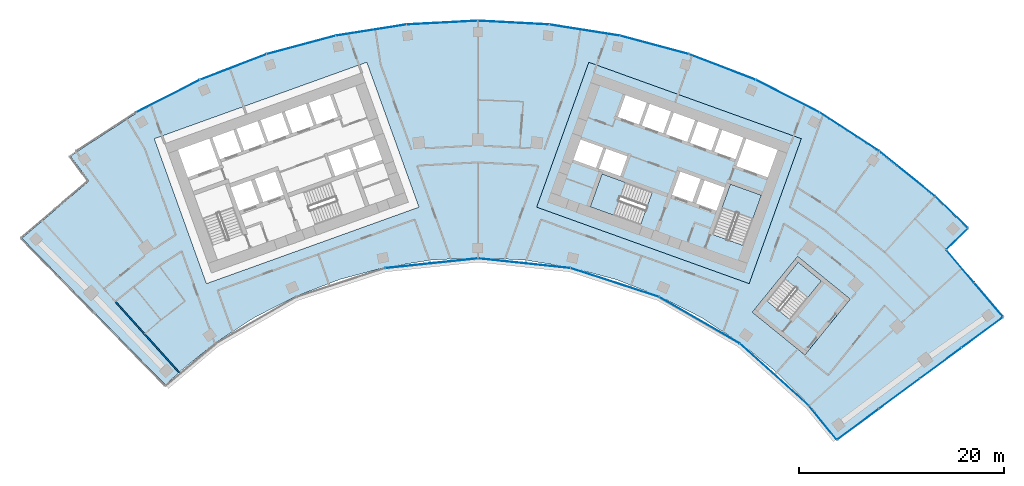
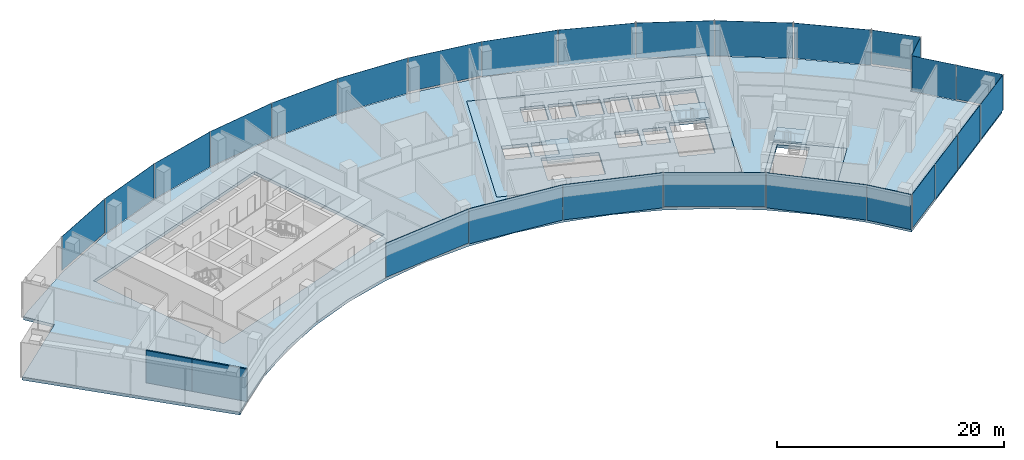
# One storey, part 11 of 18: 26 plates, 6 slabs, 2 walls, 8 elements without a shape of their own.
"""IFC4 building model written with IfcOpenShell, lengths in metres."""

from ifc_helpers import new_model, si_unit, direction, frame, frame_2d, origin, origin_2d, place, context, subcontext, project, spatial, polyline, rectangle, outline, extrude, material, layer, layer_set, type_object, element, aggregate, save


model = new_model("IFC4")

# Units and contexts
model_context = context("Model", 3, precision=1e-05, world=origin(), true_north=direction((0.0, 1.0)))
body_context = subcontext(model_context, "Body", "Model", "MODEL_VIEW")
ifc_project = project(units=[si_unit("LENGTHUNIT", "METRE"), si_unit("AREAUNIT", "SQUARE_METRE"), si_unit("VOLUMEUNIT", "CUBIC_METRE"), si_unit("PLANEANGLEUNIT", "RADIAN"), si_unit("MASSUNIT", "GRAM", prefix="KILO")], contexts=[model_context])

# Site, building, storey
site_placement = place(None, origin())
site = spatial("IfcSite", under=ifc_project, at=site_placement, CompositionType="ELEMENT")
building_placement = place(site_placement, origin())
building = spatial("IfcBuilding", under=site, at=building_placement, Name="Stone Belt Terrace Tower", CompositionType="ELEMENT")
storey_placement = place(building_placement, frame((0.0, 0.0, 220.0)))
storey = spatial("IfcBuildingStorey", under=building, at=storey_placement, Name="L53", CompositionType="ELEMENT", Elevation=220.0)

# Curtain wall, plates
ifc_material_1 = material(Name="Aluminium 6063-T6 anodised frame", Category="aluminium")
ifc_layer_1 = layer(ifc_material_1, 0.14990234375)
ifc_layer_set_1 = layer_set([ifc_layer_1], Name="CW-A unitised convex-face curtain wall")
curtain_wall_type_1 = type_object("IfcCurtainWallType", Name="CW-A unitised convex-face curtain wall", PredefinedType="NOTDEFINED", material=ifc_layer_set_1)
curtain_wall_1_placement = place(storey_placement, origin())
curtain_wall_1 = element("IfcCurtainWall", 1, at=curtain_wall_1_placement, inside=storey, type_object=curtain_wall_type_1, Name="CW-A convex face L53", PredefinedType="NOTDEFINED")
ifc_material_2 = material(Name="Clear double glazed unit")
ifc_layer_2 = layer(ifc_material_2, 0.031982421875)
ifc_layer_set_2 = layer_set([ifc_layer_2], Name="CW-A glass panel 32")
plate_type_1 = type_object("IfcPlateType", Name="CW-A glass panel 32", PredefinedType="CURTAIN_PANEL", material=ifc_layer_set_2)
plate_1_placement = place(storey_placement, frame((46.14599609375, 47.936767578125, 0.14013671875), z_axis=(0.0, 0.0, 1.0), x_axis=(-0.720604393579, 0.693346455933, 0.0)))
plate_1 = element("IfcPlate", 2, at=plate_1_placement, type_object=plate_type_1, Name="CW-A panel 1.1", PredefinedType="CURTAIN_PANEL", context=body_context, shape_type="SweptSolid", body=[
    extrude(rectangle(XDim=4.372314453125, YDim=0.031982421875, at=origin_2d()), origin(), (0.0, 0.0, 1.0), 3.659912109375),
])
plate_2_placement = place(storey_placement, frame((41.839599609375, 51.667724609375, 0.0), z_axis=(0.0, 0.0, 1.0), x_axis=(-0.777145961457, 0.62932039105, 0.0)))
plate_2 = element("IfcPlate", 3, at=plate_2_placement, type_object=plate_type_1, Name="CW-A panel 2.1", PredefinedType="CURTAIN_PANEL", context=body_context, shape_type="SweptSolid", body=[
    extrude(rectangle(XDim=6.90087890625, YDim=0.031982421875, at=origin_2d()), origin(), (0.0, 0.0, 1.0), 3.800048828125),
])
plate_3_placement = place(storey_placement, frame((36.209716796875, 55.758056640625, 0.0), z_axis=(0.0, 0.0, 1.0), x_axis=(-0.838670567945, 0.544639035015, 0.0)))
plate_3 = element("IfcPlate", 4, at=plate_3_placement, type_object=plate_type_1, Name="CW-A panel 3.1", PredefinedType="CURTAIN_PANEL", context=body_context, shape_type="SweptSolid", body=[
    extrude(rectangle(XDim=6.90087890625, YDim=0.031982421875, at=origin_2d()), origin(), (0.0, 0.0, 1.0), 3.800048828125),
])
plate_4_placement = place(storey_placement, frame((30.18310546875, 59.237548828125, 0.0), z_axis=(0.0, 0.0, 1.0), x_axis=(-0.891006524188, 0.45399049974, 0.0)))
plate_4 = element("IfcPlate", 5, at=plate_4_placement, type_object=plate_type_1, Name="CW-A panel 4.1", PredefinedType="CURTAIN_PANEL", context=body_context, shape_type="SweptSolid", body=[
    extrude(rectangle(XDim=6.90087890625, YDim=0.031982421875, at=origin_2d()), origin(), (0.0, 0.0, 1.0), 3.800048828125),
])
plate_5_placement = place(storey_placement, frame((23.82568359375, 62.068115234375, 0.0), z_axis=(0.0, 0.0, 1.0), x_axis=(-0.933580426497, 0.358367949545, 0.0)))
plate_5 = element("IfcPlate", 6, at=plate_5_placement, type_object=plate_type_1, Name="CW-A panel 5.1", PredefinedType="CURTAIN_PANEL", context=body_context, shape_type="SweptSolid", body=[
    extrude(rectangle(XDim=6.90087890625, YDim=0.031982421875, at=origin_2d()), origin(), (0.0, 0.0, 1.0), 3.800048828125),
])
plate_6_placement = place(storey_placement, frame((17.207275390625, 64.218505859375, 0.0), z_axis=(0.0, 0.0, 1.0), x_axis=(-0.965925826289, 0.258819045103, 0.0)))
plate_6 = element("IfcPlate", 7, at=plate_6_placement, type_object=plate_type_1, Name="CW-A panel 6.1", PredefinedType="CURTAIN_PANEL", context=body_context, shape_type="SweptSolid", body=[
    extrude(rectangle(XDim=6.90087890625, YDim=0.031982421875, at=origin_2d()), origin(), (0.0, 0.0, 1.0), 3.800048828125),
])
plate_7_placement = place(storey_placement, frame((10.400390625, 65.665283203125, 0.14013671875), z_axis=(0.0, 0.0, 1.0), x_axis=(-0.987688340595, 0.15643446504, 0.0)))
plate_7 = element("IfcPlate", 8, at=plate_7_placement, type_object=plate_type_1, Name="CW-A panel 7.1", PredefinedType="CURTAIN_PANEL", context=body_context, shape_type="SweptSolid", body=[
    extrude(rectangle(XDim=6.90087890625, YDim=0.031982421875, at=origin_2d()), origin(), (0.0, 0.0, 1.0), 3.659912109375),
])
plate_8_placement = place(storey_placement, frame((3.4794921875, 66.392822265625, 0.0), z_axis=(0.0, 0.0, 1.0), x_axis=(-0.998629534755, 0.052335956243, 0.0)))
plate_8 = element("IfcPlate", 9, at=plate_8_placement, type_object=plate_type_1, Name="CW-A panel 8.1", PredefinedType="CURTAIN_PANEL", context=body_context, shape_type="SweptSolid", body=[
    extrude(rectangle(XDim=6.90087890625, YDim=0.031982421875, at=origin_2d()), origin(), (0.0, 0.0, 1.0), 3.800048828125),
])
plate_9_placement = place(storey_placement, frame((-3.4794921875, 66.392822265625, 0.0), z_axis=(0.0, 0.0, 1.0), x_axis=(-0.998629534755, -0.052335956243, 0.0)))
plate_9 = element("IfcPlate", 10, at=plate_9_placement, type_object=plate_type_1, Name="CW-A panel 9.1", PredefinedType="CURTAIN_PANEL", context=body_context, shape_type="SweptSolid", body=[
    extrude(rectangle(XDim=6.90087890625, YDim=0.031982421875, at=origin_2d()), origin(), (0.0, 0.0, 1.0), 3.800048828125),
])
plate_10_placement = place(storey_placement, frame((-10.400390625, 65.665283203125, 0.0), z_axis=(0.0, 0.0, 1.0), x_axis=(-0.987688340595, -0.15643446504, 0.0)))
plate_10 = element("IfcPlate", 11, at=plate_10_placement, type_object=plate_type_1, Name="CW-A panel 10.1", PredefinedType="CURTAIN_PANEL", context=body_context, shape_type="SweptSolid", body=[
    extrude(rectangle(XDim=6.90087890625, YDim=0.031982421875, at=origin_2d()), origin(), (0.0, 0.0, 1.0), 3.800048828125),
])
plate_11_placement = place(storey_placement, frame((-17.207275390625, 64.218505859375, 0.0), z_axis=(0.0, 0.0, 1.0), x_axis=(-0.965925826289, -0.258819045103, 0.0)))
plate_11 = element("IfcPlate", 12, at=plate_11_placement, type_object=plate_type_1, Name="CW-A panel 11.1", PredefinedType="CURTAIN_PANEL", context=body_context, shape_type="SweptSolid", body=[
    extrude(rectangle(XDim=6.90087890625, YDim=0.031982421875, at=origin_2d()), origin(), (0.0, 0.0, 1.0), 3.800048828125),
])
plate_12_placement = place(storey_placement, frame((-23.82568359375, 62.068115234375, 0.0), z_axis=(0.0, 0.0, 1.0), x_axis=(-0.933580426497, -0.358367949545, 0.0)))
plate_12 = element("IfcPlate", 13, at=plate_12_placement, type_object=plate_type_1, Name="CW-A panel 12.1", PredefinedType="CURTAIN_PANEL", context=body_context, shape_type="SweptSolid", body=[
    extrude(rectangle(XDim=6.90087890625, YDim=0.031982421875, at=origin_2d()), origin(), (0.0, 0.0, 1.0), 3.800048828125),
])
plate_13_placement = place(storey_placement, frame((-30.18310546875, 59.237548828125, 0.14013671875), z_axis=(0.0, 0.0, 1.0), x_axis=(-0.891006524188, -0.45399049974, 0.0)))
plate_13 = element("IfcPlate", 14, at=plate_13_placement, type_object=plate_type_1, Name="CW-A panel 13.1", PredefinedType="CURTAIN_PANEL", context=body_context, shape_type="SweptSolid", body=[
    extrude(rectangle(XDim=6.90087890625, YDim=0.031982421875, at=origin_2d()), origin(), (0.0, 0.0, 1.0), 3.659912109375),
])
aggregate(curtain_wall_1, [plate_1, plate_2, plate_3, plate_4, plate_5, plate_6, plate_7, plate_8, plate_9, plate_10, plate_11, plate_12, plate_13])

ifc_layer_3 = layer(ifc_material_1, 0.14990234375)
ifc_layer_set_3 = layer_set([ifc_layer_3], Name="CW-B unitised concave-face curtain wall")
curtain_wall_type_2 = type_object("IfcCurtainWallType", Name="CW-B unitised concave-face curtain wall", PredefinedType="NOTDEFINED", material=ifc_layer_set_3)
curtain_wall_2_placement = place(storey_placement, origin())
curtain_wall_2 = element("IfcCurtainWall", 15, at=curtain_wall_2_placement, inside=storey, type_object=curtain_wall_type_2, Name="CW-B concave face L53", PredefinedType="NOTDEFINED")
ifc_layer_4 = layer(ifc_material_2, 0.030029296875)
ifc_layer_set_4 = layer_set([ifc_layer_4], Name="CW-B glass panel 30")
plate_type_2 = type_object("IfcPlateType", Name="CW-B glass panel 30", PredefinedType="CURTAIN_PANEL", material=ifc_layer_set_4)
plate_14_placement = place(storey_placement, frame((-4.51416015625, 42.9501953125, 0.1201171875), z_axis=(0.0, 0.0, 1.0), x_axis=(0.994521895368, 0.104528463268, 0.0)))
plate_14 = element("IfcPlate", 16, at=plate_14_placement, type_object=plate_type_2, Name="CW-B panel 4.1", PredefinedType="CURTAIN_PANEL", context=body_context, shape_type="SweptSolid", body=[
    extrude(rectangle(XDim=9.0126953125, YDim=0.030029296875, at=origin_2d()), origin(), (0.0, 0.0, 1.0), 3.679931640625),
])
plate_15_placement = place(storey_placement, frame((4.51416015625, 42.9501953125, 0.0), z_axis=(0.0, 0.0, 1.0), x_axis=(0.994521895368, -0.104528463268, 0.0)))
plate_15 = element("IfcPlate", 17, at=plate_15_placement, type_object=plate_type_2, Name="CW-B panel 5.1", PredefinedType="CURTAIN_PANEL", context=body_context, shape_type="SweptSolid", body=[
    extrude(rectangle(XDim=9.0126953125, YDim=0.030029296875, at=origin_2d()), origin(), (0.0, 0.0, 1.0), 3.800048828125),
])
plate_16_placement = place(storey_placement, frame((13.345458984375, 41.072998046875, 0.0), z_axis=(0.0, 0.0, 1.0), x_axis=(0.951056516295, -0.309016994375, 0.0)))
plate_16 = element("IfcPlate", 18, at=plate_16_placement, type_object=plate_type_2, Name="CW-B panel 6.1", PredefinedType="CURTAIN_PANEL", context=body_context, shape_type="SweptSolid", body=[
    extrude(rectangle(XDim=9.0126953125, YDim=0.030029296875, at=origin_2d()), origin(), (0.0, 0.0, 1.0), 3.800048828125),
])
plate_17_placement = place(storey_placement, frame((21.59326171875, 37.40087890625, 0.1201171875), z_axis=(0.0, 0.0, 1.0), x_axis=(0.866025403784, -0.5, 0.0)))
plate_17 = element("IfcPlate", 19, at=plate_17_placement, type_object=plate_type_2, Name="CW-B panel 7.1", PredefinedType="CURTAIN_PANEL", context=body_context, shape_type="SweptSolid", body=[
    extrude(rectangle(XDim=9.0126953125, YDim=0.030029296875, at=origin_2d()), origin(), (0.0, 0.0, 1.0), 3.679931640625),
])
plate_18_placement = place(storey_placement, frame((28.899169921875, 32.092529296875, 0.0), z_axis=(0.0, 0.0, 1.0), x_axis=(0.743144825477, -0.669130606359, 0.0)))
plate_18 = element("IfcPlate", 20, at=plate_18_placement, type_object=plate_type_2, Name="CW-B panel 8.1", PredefinedType="CURTAIN_PANEL", context=body_context, shape_type="SweptSolid", body=[
    extrude(rectangle(XDim=9.01708984375, YDim=0.030029296875, at=origin_2d()), origin(), (0.0, 0.0, 1.0), 3.800048828125),
])
plate_19_placement = place(storey_placement, frame((33.611572265625, 27.4150390625, 0.0), z_axis=(0.0, 0.0, 1.0), x_axis=(0.632397726807, -0.774643863417, 0.0)))
plate_19 = element("IfcPlate", 21, at=plate_19_placement, type_object=plate_type_2, Name="CW-B panel 9.1", PredefinedType="CURTAIN_PANEL", context=body_context, shape_type="SweptSolid", body=[
    extrude(rectangle(XDim=4.173828125, YDim=0.030029296875, at=origin_2d()), origin(), (0.0, 0.0, 1.0), 3.800048828125),
])
aggregate(curtain_wall_2, [plate_14, plate_15, plate_16, plate_17, plate_18, plate_19])

ifc_layer_5 = layer(ifc_material_1, 0.14990234375)
ifc_layer_set_5 = layer_set([ifc_layer_5], Name="CW-C stick curtain wall, horn ends and notches")
curtain_wall_type_3 = type_object("IfcCurtainWallType", Name="CW-C stick curtain wall, horn ends and notches", PredefinedType="NOTDEFINED", material=ifc_layer_set_5)
curtain_wall_3_placement = place(storey_placement, origin())
curtain_wall_3 = element("IfcCurtainWall", 22, at=curtain_wall_3_placement, inside=storey, type_object=curtain_wall_type_3, Name="CW-C end face L53", PredefinedType="NOTDEFINED")
ifc_layer_6 = layer(ifc_material_2, 0.028076171875)
ifc_layer_set_6 = layer_set([ifc_layer_6], Name="CW-C glass panel 28")
plate_type_3 = type_object("IfcPlateType", Name="CW-C glass panel 28", PredefinedType="CURTAIN_PANEL", material=ifc_layer_set_6)
plate_20_placement = place(storey_placement, frame((37.032470703125, 27.263916015625, 0.1201171875), z_axis=(0.0, 0.0, 1.0), x_axis=(0.804329077539, 0.594184091865, 0.0)))
plate_20 = element("IfcPlate", 23, at=plate_20_placement, type_object=plate_type_3, Name="CW-C panel 1.1", PredefinedType="CURTAIN_PANEL", context=body_context, shape_type="SweptSolid", body=[
    extrude(rectangle(XDim=4.968017578125, YDim=0.028076171875, at=origin_2d()), origin(), (0.0, 0.0, 1.0), 3.679931640625),
])
plate_21_placement = place(storey_placement, frame((41.0654296875, 30.2431640625, 0.0), z_axis=(0.0, 0.0, 1.0), x_axis=(0.804329077539, 0.594184091865, 0.0)))
plate_21 = element("IfcPlate", 24, at=plate_21_placement, type_object=plate_type_3, Name="CW-C panel 2.1", PredefinedType="CURTAIN_PANEL", context=body_context, shape_type="SweptSolid", body=[
    extrude(rectangle(XDim=4.93994140625, YDim=0.028076171875, at=origin_2d()), origin(), (0.0, 0.0, 1.0), 3.800048828125),
])
plate_22_placement = place(storey_placement, frame((45.0869140625, 33.2138671875, 0.0), z_axis=(0.0, 0.0, 1.0), x_axis=(0.804329077539, 0.594184091865, 0.0)))
plate_22 = element("IfcPlate", 25, at=plate_22_placement, type_object=plate_type_3, Name="CW-C panel 3.1", PredefinedType="CURTAIN_PANEL", context=body_context, shape_type="SweptSolid", body=[
    extrude(rectangle(XDim=4.93994140625, YDim=0.028076171875, at=origin_2d()), origin(), (0.0, 0.0, 1.0), 3.800048828125),
])
plate_23_placement = place(storey_placement, frame((49.122802734375, 36.1953125, 0.0), z_axis=(0.0, 0.0, 1.0), x_axis=(0.804329077539, 0.594184091865, 0.0)))
plate_23 = element("IfcPlate", 26, at=plate_23_placement, type_object=plate_type_3, Name="CW-C panel 4.1", PredefinedType="CURTAIN_PANEL", context=body_context, shape_type="SweptSolid", body=[
    extrude(rectangle(XDim=4.974853515625, YDim=0.028076171875, at=origin_2d()), origin(), (0.0, 0.0, 1.0), 3.800048828125),
])
aggregate(curtain_wall_3, [plate_20, plate_21, plate_22, plate_23])

curtain_wall_4_placement = place(storey_placement, origin())
curtain_wall_4 = element("IfcCurtainWall", 27, at=curtain_wall_4_placement, inside=storey, type_object=curtain_wall_type_3, Name="CW-C notch face L53", PredefinedType="NOTDEFINED")
plate_24_placement = place(storey_placement, frame((49.75390625, 39.402587890625, 0.1201171875), z_axis=(0.0, 0.0, 1.0), x_axis=(-0.647210945735, 0.762310954743, 0.0)))
plate_24 = element("IfcPlate", 28, at=plate_24_placement, type_object=plate_type_3, Name="CW-C panel 1.1", PredefinedType="CURTAIN_PANEL", context=body_context, shape_type="SweptSolid", body=[
    extrude(rectangle(XDim=4.268798828125, YDim=0.028076171875, at=origin_2d()), origin(), (0.0, 0.0, 1.0), 3.679931640625),
])
plate_25_placement = place(storey_placement, frame((47.000244140625, 42.645751953125, 0.0), z_axis=(0.0, 0.0, 1.0), x_axis=(-0.647210945735, 0.762310954743, 0.0)))
plate_25 = element("IfcPlate", 29, at=plate_25_placement, type_object=plate_type_3, Name="CW-C panel 2.1", PredefinedType="CURTAIN_PANEL", context=body_context, shape_type="SweptSolid", body=[
    extrude(rectangle(XDim=4.12060546875, YDim=0.028076171875, at=origin_2d()), origin(), (0.0, 0.0, 1.0), 3.800048828125),
])
aggregate(curtain_wall_4, [plate_24, plate_25])

# Curtain wall, plate
curtain_wall_5_placement = place(storey_placement, origin())
curtain_wall_5 = element("IfcCurtainWall", 30, at=curtain_wall_5_placement, inside=storey, type_object=curtain_wall_type_3, Name="CW-C notch face L53", PredefinedType="NOTDEFINED")
plate_26_placement = place(storey_placement, frame((46.69677734375, 45.320068359375, 0.1201171875), z_axis=(0.0, 0.0, 1.0), x_axis=(0.71680345276, 0.697275275707, 0.0)))
plate_26 = element("IfcPlate", 31, at=plate_26_placement, type_object=plate_type_3, Name="CW-C panel 1.1", PredefinedType="CURTAIN_PANEL", context=body_context, shape_type="SweptSolid", body=[
    extrude(rectangle(XDim=2.859619140625, YDim=0.028076171875, at=origin_2d()), origin(), (0.0, 0.0, 1.0), 3.679931640625),
])
aggregate(curtain_wall_5, [plate_26])

# Slabs
ifc_material_3 = material(Name="Concrete B40", Category="concrete")
ifc_layer_7 = layer(ifc_material_3, 0.320068359375)
ifc_layer_set_7 = layer_set([ifc_layer_7], Name="Core floor slab 320")
slab_type_1 = type_object("IfcSlabType", Name="Core floor slab 320", PredefinedType="FLOOR", material=ifc_layer_set_7)
slab_1_placement = place(storey_placement, frame((0.0, 0.0, -0.320068359375)))
element("IfcSlab", 32, at=slab_1_placement, inside=storey, type_object=slab_type_1, Name="Core B floor L53", PredefinedType="FLOOR", context=body_context, shape_type="SweptSolid", body=[
    extrude(outline(polyline([(26.43505859375, 40.968994140625), (31.513916015625, 55.0830078125), (10.81396484375, 62.531982421875), (5.735107421875, 48.4189453125), (26.43505859375, 40.968994140625)]), holes=[polyline([(12.10595703125, 51.652099609375), (16.998046875, 49.89208984375), (15.846923828125, 46.69189453125), (10.955078125, 48.452880859375), (12.10595703125, 51.652099609375)]), polyline([(12.511962890625, 54.110107421875), (14.58203125, 53.364990234375), (13.887939453125, 51.43603515625), (11.864990234375, 52.1640625), (11.847900390625, 52.116943359375), (11.801025390625, 52.134033203125), (12.511962890625, 54.110107421875)]), polyline([(9.30810546875, 53.031005859375), (10.01904296875, 55.007080078125), (12.22998046875, 54.2109375), (11.51904296875, 52.235107421875), (9.30810546875, 53.031005859375)]), polyline([(18.333984375, 55.52197265625), (19.095947265625, 57.638916015625), (21.166015625, 56.89404296875), (20.404052734375, 54.777099609375), (18.333984375, 55.52197265625)]), polyline([(16.743896484375, 58.485107421875), (18.81396484375, 57.739990234375), (18.052001953125, 55.623046875), (15.98193359375, 56.367919921875), (16.743896484375, 58.485107421875)]), polyline([(14.39111328125, 59.33203125), (16.4609375, 58.5869140625), (15.699951171875, 56.469970703125), (13.6298828125, 57.215087890625), (14.39111328125, 59.33203125)]), polyline([(27.618896484375, 49.575927734375), (25.85888671875, 44.68408203125), (22.847900390625, 45.76806640625), (24.60791015625, 50.659912109375), (27.618896484375, 49.575927734375)]), polyline([(23.25, 48.06689453125), (21.27392578125, 48.778076171875), (22.0869140625, 51.035888671875), (24.06298828125, 50.324951171875), (23.25, 48.06689453125)]), polyline([(20.89794921875, 48.9130859375), (18.922119140625, 49.6240234375), (19.735107421875, 51.883056640625), (21.7109375, 51.1708984375), (20.89794921875, 48.9130859375)]), polyline([(26.153076171875, 55.09912109375), (29.2109375, 53.9990234375), (28.24609375, 51.31689453125), (25.18798828125, 52.41796875), (26.153076171875, 55.09912109375)]), polyline([(23.801025390625, 55.946044921875), (25.87109375, 55.200927734375), (25.10888671875, 53.083984375), (23.0390625, 53.8291015625), (23.801025390625, 55.946044921875)]), polyline([(21.447998046875, 56.7919921875), (23.51806640625, 56.047119140625), (22.756103515625, 53.929931640625), (20.68603515625, 54.675048828125), (21.447998046875, 56.7919921875)])]), origin(), (0.0, 0.0, 1.0), 0.320068359375),
])
slab_2_placement = place(storey_placement, frame((0.0, 0.0, -0.320068359375)))
element("IfcSlab", 33, at=slab_2_placement, inside=storey, type_object=slab_type_1, Name="Exit stair ST3B floor L53", PredefinedType="FLOOR", context=body_context, shape_type="SweptSolid", body=[
    extrude(outline(polyline([(26.741943359375, 38.18408203125), (31.866943359375, 34.02392578125), (36.278076171875, 39.458984375), (31.154052734375, 43.618896484375), (26.741943359375, 38.18408203125)]), holes=[polyline([(30.407958984375, 37.462890625), (28.156005859375, 39.291015625), (31.2119140625, 43.055908203125), (33.464111328125, 41.22802734375), (30.407958984375, 37.462890625)])]), origin(), (0.0, 0.0, 1.0), 0.320068359375),
])
ifc_layer_8 = layer(ifc_material_3, 0.320068359375)
ifc_layer_set_8 = layer_set([ifc_layer_8], Name="Floor slab 320 B40")
slab_type_2 = type_object("IfcSlabType", Name="Floor slab 320 B40", PredefinedType="FLOOR", material=ifc_layer_set_8)
slab_3_placement = place(storey_placement, frame((0.0, 0.0, -0.320068359375)))
element("IfcSlab", 34, at=slab_3_placement, inside=storey, type_object=slab_type_2, Name="Floor slab L53", PredefinedType="FLOOR", context=body_context, shape_type="SweptSolid", body=[
    extrude(outline(polyline([(-39.671142578125, 53.370849609375), (-39.087646484375, 53.799560546875), (-33.25, 57.5908203125), (-27.048095703125, 60.750732421875), (-20.549560546875, 63.245361328125), (-13.826171875, 65.046875), (-6.951171875, 66.1357421875), (0.0, 66.5), (6.951171875, 66.1357421875), (13.826171875, 65.046875), (20.549560546875, 63.245361328125), (27.048095703125, 60.750732421875), (33.25, 57.5908203125), (39.087646484375, 53.799560546875), (44.497314453125, 49.419189453125), (47.66748046875, 46.368896484375), (45.51708984375, 44.277099609375), (51.074951171875, 37.730712890625), (34.98828125, 25.846923828125), (32.326904296875, 29.107177734375), (29.107177734375, 32.326904296875), (25.568603515625, 35.192138671875), (21.75, 37.672119140625), (17.693115234375, 39.7392578125), (13.442138671875, 41.37109375), (9.044189453125, 42.54931640625), (4.547119140625, 43.26171875), (0.0, 43.5), (-4.547119140625, 43.26171875), (-9.044189453125, 42.54931640625), (-13.442138671875, 41.37109375), (-17.693115234375, 39.7392578125), (-21.75, 37.672119140625), (-25.568603515625, 35.192138671875), (-29.107177734375, 32.326904296875), (-30.423583984375, 31.091064453125), (-44.411376953125, 45.385986328125), (-37.881591796875, 50.963134765625), (-39.671142578125, 53.370849609375)]), holes=[polyline([(-31.51416015625, 55.082763671875), (-26.434814453125, 40.968994140625), (-5.734619140625, 48.418701171875), (-10.81396484375, 62.532470703125), (-31.51416015625, 55.082763671875)]), polyline([(31.51416015625, 55.082763671875), (10.81396484375, 62.532470703125), (5.734619140625, 48.418701171875), (26.434814453125, 40.968994140625), (31.51416015625, 55.082763671875)]), polyline([(36.2783203125, 39.459228515625), (31.15380859375, 43.61865234375), (26.742431640625, 38.18359375), (31.86669921875, 34.024169921875), (36.2783203125, 39.459228515625)])]), origin(), (0.0, 0.0, 1.0), 0.320068359375),
])

# Stair, slab
stair_type = type_object("IfcStairType", Name="Exit stair 1500", PredefinedType="HALF_TURN_STAIR", material=ifc_material_3)
stair_1_placement = place(storey_placement, origin())
stair_1 = element("IfcStair", 35, at=stair_1_placement, inside=storey, type_object=stair_type, Name="L53 Exit stair 1 core B", PredefinedType="HALF_TURN_STAIR")
ifc_layer_9 = layer(ifc_material_3, 0.199951171875)
ifc_layer_set_9 = layer_set([ifc_layer_9], Name="Stair landing 200")
slab_type_3 = type_object("IfcSlabType", Name="Stair landing 200", PredefinedType="LANDING", material=ifc_layer_set_9)
slab_4_placement = place(storey_placement, frame((0.0, 0.0, 1.699951171875)))
slab_4 = element("IfcSlab", 36, at=slab_4_placement, type_object=slab_type_3, Name="ST1B landing 1", PredefinedType="LANDING", context=body_context, shape_type="SweptSolid", body=[
    extrude(outline(polyline([(26.806396484375, 47.3173828125), (27.619384765625, 49.576171875), (24.6083984375, 50.659912109375), (23.79541015625, 48.40087890625), (26.806396484375, 47.3173828125)])), origin(), (0.0, 0.0, 1.0), 0.199951171875),
])
aggregate(stair_1, [slab_4])

stair_2_placement = place(storey_placement, origin())
stair_2 = element("IfcStair", 37, at=stair_2_placement, inside=storey, type_object=stair_type, Name="L53 Exit stair 2 core B", PredefinedType="HALF_TURN_STAIR")
slab_5_placement = place(storey_placement, frame((0.0, 0.0, 1.699951171875)))
slab_5 = element("IfcSlab", 38, at=slab_5_placement, type_object=slab_type_3, Name="ST2B landing 1", PredefinedType="LANDING", context=body_context, shape_type="SweptSolid", body=[
    extrude(outline(polyline([(14.36474609375, 50.839111328125), (12.10595703125, 51.652099609375), (10.95458984375, 48.453125), (13.213623046875, 47.64013671875), (14.36474609375, 50.839111328125)])), origin(), (0.0, 0.0, 1.0), 0.199951171875),
])
aggregate(stair_2, [slab_5])

stair_3_placement = place(storey_placement, origin())
stair_3 = element("IfcStair", 39, at=stair_3_placement, inside=storey, type_object=stair_type, Name="L53 Exit stair 3B", PredefinedType="HALF_TURN_STAIR")
slab_6_placement = place(storey_placement, frame((0.0, 0.0, 1.699951171875)))
slab_6 = element("IfcSlab", 40, at=slab_6_placement, type_object=slab_type_3, Name="ST3B landing 1", PredefinedType="LANDING", context=body_context, shape_type="SweptSolid", body=[
    extrude(outline(polyline([(32.17138671875, 39.635986328125), (33.4638671875, 41.228271484375), (31.21240234375, 43.055908203125), (29.919921875, 41.463623046875), (32.17138671875, 39.635986328125)])), origin(), (0.0, 0.0, 1.0), 0.199951171875),
])
aggregate(stair_3, [slab_6])

# Walls
ifc_material_4 = material(Name="Gypsum board partition")
ifc_layer_10 = layer(ifc_material_4, 0.14990234375)
ifc_layer_set_10 = layer_set([ifc_layer_10], Name="PARTITION 150 EI 60")
wall_type = type_object("IfcWallType", Name="PARTITION 150 EI 60", PredefinedType="PARTITIONING", material=ifc_layer_set_10)
wall_1_placement = place(storey_placement, frame((-32.468994140625, 36.06005859375, 0.0), z_axis=(0.0, 0.0, 1.0), x_axis=(0.669172895515, -0.743106745971, 0.0)))
element("IfcWall", 41, at=wall_1_placement, inside=storey, type_object=wall_type, Name="L53/wall/i033", PredefinedType="PARTITIONING", context=body_context, shape_type="SweptSolid", body=[
    extrude(rectangle(XDim=5.118408203125, YDim=0.14990234375, at=frame_2d((2.55908203125, 0.0))), origin(), (0.0, 0.0, 1.0), 3.47998046875),
])
wall_2_placement = place(storey_placement, frame((-35.31689453125, 39.222900390625, 0.0), z_axis=(0.0, 0.0, 1.0), x_axis=(0.669129047612, -0.743146228977, 0.0)))
element("IfcWall", 42, at=wall_2_placement, inside=storey, type_object=wall_type, Name="L53/wall/i034", PredefinedType="PARTITIONING", context=body_context, shape_type="SweptSolid", body=[
    extrude(rectangle(XDim=4.26806640625, YDim=0.14990234375, at=frame_2d((2.134033203125, 0.0))), origin(), (0.0, 0.0, 1.0), 3.47998046875),
])

save(model, "model.ifc")
